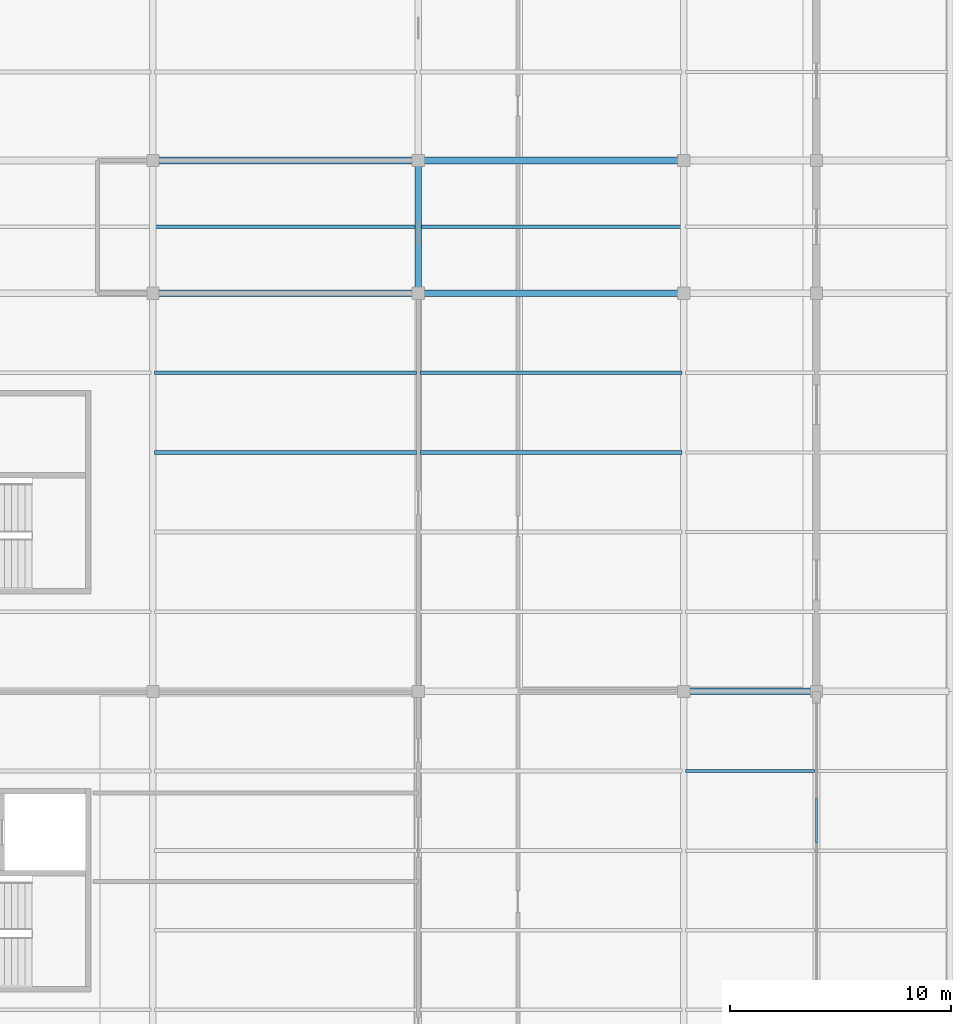
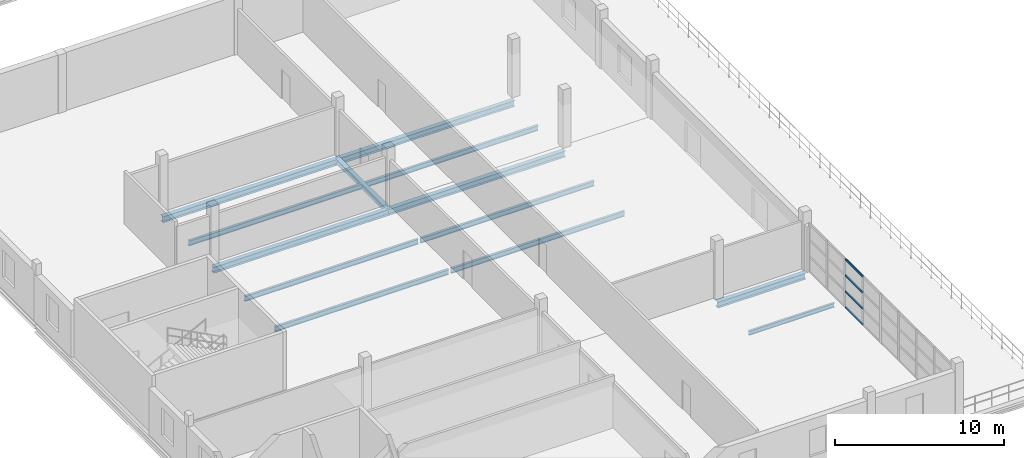
# One storey, part 16 of 86: 13 beams, 4 members, 1 element without a shape of its own.
"""IFC4 building model written with IfcOpenShell, lengths in metres."""

from ifc_helpers import new_model, si_unit, direction, frame, origin, origin_2d, place, context, subcontext, project, spatial, hollow_rectangle, i_section, extrude, material, layer, layer_set, material_profile, profile_set, type_object, element, aggregate, save


model = new_model("IFC4")

# Units and contexts
model_context = context("Model", 3, precision=1e-05, world=origin(), true_north=direction((0.0, 1.0)))
body_context = subcontext(model_context, "Body", "Model", "MODEL_VIEW")
ifc_project = project(units=[si_unit("LENGTHUNIT", "METRE"), si_unit("AREAUNIT", "SQUARE_METRE"), si_unit("VOLUMEUNIT", "CUBIC_METRE"), si_unit("PLANEANGLEUNIT", "RADIAN"), si_unit("MASSUNIT", "GRAM", prefix="KILO")], contexts=[model_context])

# Site, building, storey
site_placement = place(None, origin())
site = spatial("IfcSite", under=ifc_project, at=site_placement, CompositionType="ELEMENT")
building_placement = place(site_placement, origin())
building = spatial("IfcBuilding", under=site, at=building_placement, Name="Zilviju Railside Exhibition Hall", CompositionType="ELEMENT")
storey_placement = place(building_placement, frame((0.0, 0.0, 12.60009765625)))
storey = spatial("IfcBuildingStorey", under=building, at=storey_placement, Name="L04", CompositionType="ELEMENT", Elevation=12.60009765625)

# Beams
ifc_material_1 = material(Name="Steel S355J2", Category="steel")
ifc_material_profile_1 = material_profile(ifc_material_1, i_section(OverallWidth=0.300048828125, OverallDepth=0.43994140625, WebThickness=0.011474609375, FlangeThickness=0.02099609375, at=origin_2d()), Name="HEA 450")
ifc_profile_set_1 = profile_set([ifc_material_profile_1], Name="Steel S355J2")
beam_type_1 = type_object("IfcBeamType", Name="BM-HEA450", PredefinedType="BEAM", material=ifc_profile_set_1)
beam_1_placement = place(storey_placement, frame((36.0, 102.0, -0.56005859375), z_axis=(1.0, 0.0, 0.0), x_axis=(0.0, 1.0, 0.0)))
element("IfcBeam", 1, at=beam_1_placement, inside=storey, type_object=beam_type_1, Name="Primary Girder L04 Y=102.0 (36.0..42.0)", PredefinedType="BEAM", context=body_context, shape_type="SweptSolid", body=[
    extrude(i_section(OverallWidth=0.300048828125, OverallDepth=0.43994140625, WebThickness=0.011474609375, FlangeThickness=0.02099609375, at=origin_2d()), origin(), (0.0, 0.0, 1.0), 6.0),
])
for number, where, z_axis, x_axis, name in (
    (2, (12.0, 120.0, -0.56005859375), (1.0, 0.0, 0.0), (0.0, 1.0, 0.0), "Primary Girder L04 Y=120.0 (12.0..24.0)"),
    (3, (24.0, 120.0, -0.56005859375), (1.0, 0.0, 0.0), (0.0, 1.0, 0.0), "Primary Girder L04 Y=120.0 (24.0..36.0)"),
    (4, (12.0, 126.0, -0.56005859375), (1.0, 0.0, 0.0), (0.0, 1.0, 0.0), "Primary Girder L04 Y=126.0 (12.0..24.0)"),
    (5, (24.0, 126.0, -0.56005859375), (1.0, 0.0, 0.0), (0.0, 1.0, 0.0), "Primary Girder L04 Y=126.0 (24.0..36.0)"),
):
    element("IfcBeam", number, at=place(storey_placement, frame(where, z_axis=z_axis, x_axis=x_axis)), inside=storey, type_object=beam_type_1, Name=name, PredefinedType="BEAM", context=body_context, shape_type="SweptSolid", body=[
        extrude(i_section(OverallWidth=0.300048828125, OverallDepth=0.43994140625, WebThickness=0.011474609375, FlangeThickness=0.02099609375, at=origin_2d()), origin(), (0.0, 0.0, 1.0), 12.0),
    ])
ifc_material_profile_2 = material_profile(ifc_material_1, i_section(OverallWidth=0.300048828125, OverallDepth=0.360107421875, WebThickness=0.012451171875, FlangeThickness=0.0224609375, at=origin_2d()), Name="HEB 360")
ifc_profile_set_2 = profile_set([ifc_material_profile_2], Name="Steel S355J2")
beam_type_2 = type_object("IfcBeamType", Name="BM-HEB360", PredefinedType="BEAM", material=ifc_profile_set_2)
beam_2_placement = place(storey_placement, frame((24.0, 120.0, -0.52001953125), z_axis=(0.0, 1.0, 0.0), x_axis=(-1.0, 0.0, 0.0)))
element("IfcBeam", 6, at=beam_2_placement, inside=storey, type_object=beam_type_2, Name="Transverse Girder L04 X=24.0 (120.0..126.0)", PredefinedType="BEAM", context=body_context, shape_type="SweptSolid", body=[
    extrude(i_section(OverallWidth=0.300048828125, OverallDepth=0.360107421875, WebThickness=0.012451171875, FlangeThickness=0.0224609375, at=origin_2d()), origin(), (0.0, 0.0, 1.0), 6.0),
])
ifc_material_profile_3 = material_profile(ifc_material_1, i_section(OverallWidth=0.14990234375, OverallDepth=0.300048828125, WebThickness=0.007080078125, FlangeThickness=0.0107421875, at=origin_2d()), Name="IPE 300")
ifc_profile_set_3 = profile_set([ifc_material_profile_3], Name="Steel S355J2")
beam_type_3 = type_object("IfcBeamType", Name="BM-IPE300", PredefinedType="JOIST", material=ifc_profile_set_3)
beam_3_placement = place(storey_placement, frame((36.080078125, 98.39990234375, -0.489990234375), z_axis=(1.0, 0.0, 0.0), x_axis=(0.0, 1.0, 0.0)))
element("IfcBeam", 7, at=beam_3_placement, inside=storey, type_object=beam_type_3, Name="Composite Floor Joist L04 Y=98.40 (36.0..42.0)", PredefinedType="JOIST", context=body_context, shape_type="SweptSolid", body=[
    extrude(i_section(OverallWidth=0.14990234375, OverallDepth=0.300048828125, WebThickness=0.007080078125, FlangeThickness=0.0107421875, at=origin_2d()), origin(), (0.0, 0.0, 1.0), 5.83984375),
])
ifc_material_profile_4 = material_profile(ifc_material_1, i_section(OverallWidth=0.169921875, OverallDepth=0.360107421875, WebThickness=0.008056640625, FlangeThickness=0.0126953125, at=origin_2d()), Name="IPE 360")
ifc_profile_set_4 = profile_set([ifc_material_profile_4], Name="Steel S355J2")
beam_type_4 = type_object("IfcBeamType", Name="BM-IPE360", PredefinedType="JOIST", material=ifc_profile_set_4)
for number, where, z_axis, x_axis, name in (
    (8, (12.080078125, 112.800048828125, -0.52001953125), (1.0, 0.0, 0.0), (0.0, 1.0, 0.0), "Composite Floor Joist L04 Y=112.80 (12.0..24.0)"),
    (9, (12.080078125, 116.39990234375, -0.52001953125), (1.0, 0.0, 0.0), (0.0, 1.0, 0.0), "Composite Floor Joist L04 Y=116.40 (12.0..24.0)"),
    (10, (12.080078125, 123.0, -0.52001953125), (1.0, 0.0, 0.0), (0.0, 1.0, 0.0), "Composite Floor Joist L04 Y=123.00 (12.0..24.0)"),
    (11, (24.080078125, 112.800048828125, -0.52001953125), (1.0, 0.0, 0.0), (0.0, 1.0, 0.0), "Composite Floor Joist L04 Y=112.80 (24.0..36.0)"),
    (12, (24.080078125, 116.39990234375, -0.52001953125), (1.0, 0.0, 0.0), (0.0, 1.0, 0.0), "Composite Floor Joist L04 Y=116.40 (24.0..36.0)"),
    (13, (24.080078125, 123.0, -0.52001953125), (1.0, 0.0, 0.0), (0.0, 1.0, 0.0), "Composite Floor Joist L04 Y=123.00 (24.0..36.0)"),
):
    element("IfcBeam", number, at=place(storey_placement, frame(where, z_axis=z_axis, x_axis=x_axis)), inside=storey, type_object=beam_type_4, Name=name, PredefinedType="JOIST", context=body_context, shape_type="SweptSolid", body=[
        extrude(i_section(OverallWidth=0.169921875, OverallDepth=0.360107421875, WebThickness=0.008056640625, FlangeThickness=0.0126953125, at=origin_2d()), origin(), (0.0, 0.0, 1.0), 11.83984375),
    ])

# Curtain wall, members
ifc_material_2 = material(Name="Thermally broken aluminium-steel triple-glazed curtain wall", Category="steel")
ifc_layer = layer(ifc_material_2, 0.179931640625)
ifc_layer_set = layer_set([ifc_layer], Name="Thermally broken aluminium-steel triple-glazed curtain wall")
curtain_wall_type = type_object("IfcCurtainWallType", Name="CW-BAY-07", PredefinedType="USERDEFINED", material=ifc_layer_set)
curtain_wall_placement = place(storey_placement, origin())
curtain_wall = element("IfcCurtainWall", 14, at=curtain_wall_placement, inside=storey, type_object=curtain_wall_type, Name="Organisers L04 Terrace Lounge Curtain Wall", ObjectType="GLAZED CURTAIN WALL", PredefinedType="USERDEFINED")
ifc_material_3 = material(Name="Thermally broken anodized aluminium transom", Category="aluminium")
ifc_material_profile_5 = material_profile(ifc_material_3, hollow_rectangle(XDim=0.074951171875, YDim=0.139892578125, WallThickness=0.0048828125, at=origin_2d()), Name="TRANSOM 140x75x5")
ifc_profile_set_5 = profile_set([ifc_material_profile_5], Name="Thermally broken anodized aluminium transom")
member_type = type_object("IfcMemberType", Name="CWT-75x140", PredefinedType="USERDEFINED", material=ifc_profile_set_5)
member_1_placement = place(storey_placement, frame((42.0, 97.1875, 0.037353515625), z_axis=(0.0, -1.0, 0.0), x_axis=(1.0, 0.0, 0.0)))
member_1 = element("IfcMember", 15, at=member_1_placement, type_object=member_type, Name="CW-07 transom 3.1", ObjectType="TRANSOM", PredefinedType="USERDEFINED", context=body_context, shape_type="SweptSolid", body=[
    extrude(hollow_rectangle(XDim=0.074951171875, YDim=0.139892578125, WallThickness=0.0048828125, at=origin_2d()), origin(), (0.0, 0.0, 1.0), 2.03759765625),
])
member_2_placement = place(storey_placement, frame((42.0, 97.1875, 1.1728515625), z_axis=(0.0, -1.0, 0.0), x_axis=(1.0, 0.0, 0.0)))
member_2 = element("IfcMember", 16, at=member_2_placement, type_object=member_type, Name="CW-07 transom 3.2", ObjectType="TRANSOM", PredefinedType="USERDEFINED", context=body_context, shape_type="SweptSolid", body=[
    extrude(hollow_rectangle(XDim=0.074951171875, YDim=0.139892578125, WallThickness=0.0048828125, at=origin_2d()), origin(), (0.0, 0.0, 1.0), 2.03759765625),
])
member_3_placement = place(storey_placement, frame((42.0, 97.1875, 2.346923828125), z_axis=(0.0, -1.0, 0.0), x_axis=(1.0, 0.0, 0.0)))
member_3 = element("IfcMember", 17, at=member_3_placement, type_object=member_type, Name="CW-07 transom 3.3", ObjectType="TRANSOM", PredefinedType="USERDEFINED", context=body_context, shape_type="SweptSolid", body=[
    extrude(hollow_rectangle(XDim=0.074951171875, YDim=0.139892578125, WallThickness=0.0048828125, at=origin_2d()), origin(), (0.0, 0.0, 1.0), 2.03759765625),
])
member_4_placement = place(storey_placement, frame((42.0, 97.1875, 3.482421875), z_axis=(0.0, -1.0, 0.0), x_axis=(1.0, 0.0, 0.0)))
member_4 = element("IfcMember", 18, at=member_4_placement, type_object=member_type, Name="CW-07 transom 3.4", ObjectType="TRANSOM", PredefinedType="USERDEFINED", context=body_context, shape_type="SweptSolid", body=[
    extrude(hollow_rectangle(XDim=0.074951171875, YDim=0.139892578125, WallThickness=0.0048828125, at=origin_2d()), origin(), (0.0, 0.0, 1.0), 2.03759765625),
])
aggregate(curtain_wall, [member_1, member_2, member_3, member_4])

save(model, "model.ifc")
